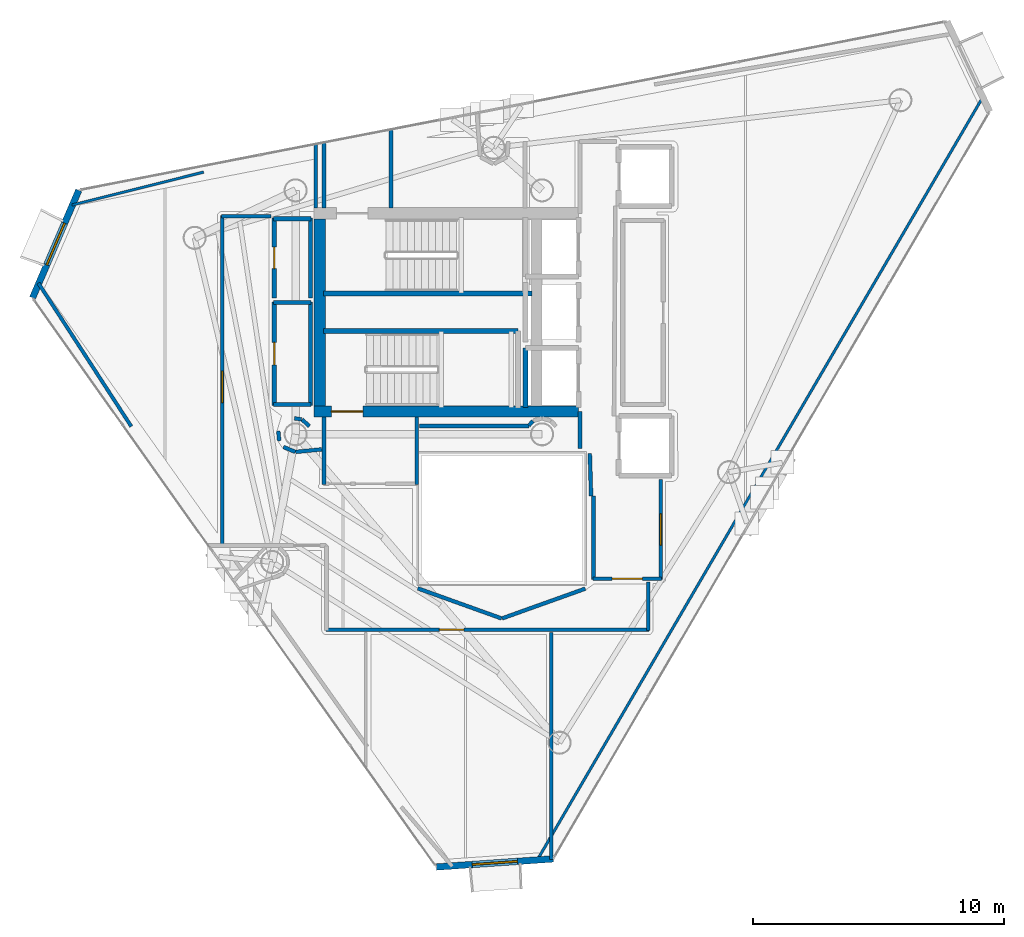
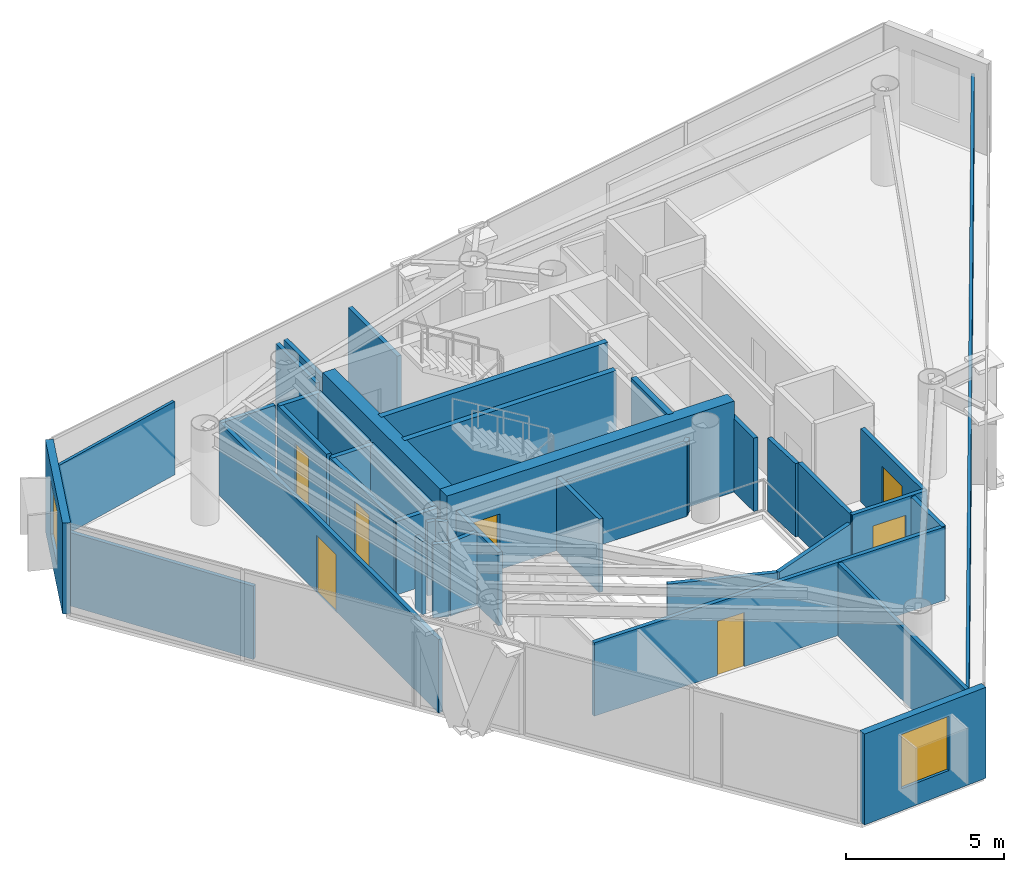
# One storey, part 18 of 22: 41 walls, 7 doors, 2 windows, 9 openings.
"""IFC4 building model written with IfcOpenShell, lengths in metres."""

import ifcopenshell
import ifcopenshell.guid

model = None  # the IFC model being written
_history = None  # IfcOwnerHistory: only IFC2X3 demands one
_inside = {}  # id of a spatial element -> (the spatial element, [elements in it])
_under = {}  # id of a project, library or spatial element -> (it, [spatial elements below it])
_declared = {}  # id of a project -> (the project, [libraries it declares])
_typed = {}  # id of a type object -> (the type object, [elements of that type])
_made_of = {}  # id of a material, layer set ... -> (it, [elements and type objects made of it])


def new_model(schema):
    """Start an empty IFC model of exactly this schema.

    Asked for "IFC4X3", IfcOpenShell would pick the latest addendum, in which some entities
    have other attributes; the version numbers below select the first issue.
    IFC2X3 requires an IfcOwnerHistory on every rooted entity: one is made here for all.
    """
    global model, _history
    if schema == "IFC4X3":
        model = ifcopenshell.file(schema_version=(4, 3, 0, 0))
    else:
        model = ifcopenshell.file(schema=schema)
    _inside.clear()
    _under.clear()
    _declared.clear()
    _typed.clear()
    _made_of.clear()
    _history = None
    if model.schema == "IFC2X3":
        org = make("IfcOrganization", Name="unknown")
        user = make(
            "IfcPersonAndOrganization",
            ThePerson=make("IfcPerson", FamilyName="unknown"),
            TheOrganization=org,
        )
        app = make(
            "IfcApplication",
            ApplicationDeveloper=org,
            Version="unknown",
            ApplicationFullName="unknown",
            ApplicationIdentifier="unknown",
        )
        _history = make(
            "IfcOwnerHistory",
            OwningUser=user,
            OwningApplication=app,
            ChangeAction="ADDED",
            CreationDate=0,
        )
    return model


def make(cls, **values):
    """One entity of the class cls with the attributes given. An attribute that is None is left unset."""
    return model.create_entity(
        cls, **{name: value for name, value in values.items() if value is not None}
    )


def rooted(cls, **values):
    """An entity with a GlobalId (a new one), such as an element, a storey or a relation."""
    return make(cls, GlobalId=ifcopenshell.guid.new(), OwnerHistory=_history, **values)


def si_unit(unit_type, name, prefix=None):
    """IfcSIUnit, for example si_unit("LENGTHUNIT", "METRE", prefix="MILLI")."""
    return make("IfcSIUnit", UnitType=unit_type, Prefix=prefix, Name=name)


def assignment(units):
    """IfcUnitAssignment: the units of a project."""
    return None if units is None else make("IfcUnitAssignment", Units=units)


def point(xyz):
    """IfcCartesianPoint."""
    return None if xyz is None else make("IfcCartesianPoint", Coordinates=xyz)


def direction(xyz):
    """IfcDirection."""
    return None if xyz is None else make("IfcDirection", DirectionRatios=xyz)


def frame(location, z_axis=None, x_axis=None):
    """IfcAxis2Placement3D, a coordinate frame: its origin and axes. An axis left out is left unset."""
    return make(
        "IfcAxis2Placement3D",
        Location=point(location),
        Axis=direction(z_axis),
        RefDirection=direction(x_axis),
    )


def frame_2d(location, x_axis=None):
    """IfcAxis2Placement2D, a coordinate frame in the plane: its origin and x axis."""
    return make(
        "IfcAxis2Placement2D", Location=point(location), RefDirection=direction(x_axis)
    )


def origin():
    """The frame at (0, 0, 0) with its axes left unset."""
    return frame((0.0, 0.0, 0.0))


def place(relative_to, where):
    """IfcLocalPlacement: puts the frame where relative to a parent placement (None: the world)."""
    return make(
        "IfcLocalPlacement", PlacementRelTo=relative_to, RelativePlacement=where
    )


def context(
    kind, dimensions, precision=None, world=None, true_north=None, identifier=None
):
    """IfcGeometricRepresentationContext, for example the 3D "Model" context."""
    return make(
        "IfcGeometricRepresentationContext",
        ContextIdentifier=identifier,
        ContextType=kind,
        CoordinateSpaceDimension=dimensions,
        Precision=precision,
        WorldCoordinateSystem=world,
        TrueNorth=true_north,
    )


def subcontext(parent, identifier, kind, view, scale=None):
    """IfcGeometricRepresentationSubContext, for example "Body" below "Model"."""
    return make(
        "IfcGeometricRepresentationSubContext",
        ContextIdentifier=identifier,
        ContextType=kind,
        ParentContext=parent,
        TargetScale=scale,
        TargetView=view,
    )


def project(units=None, contexts=None):
    """IfcProject with its units and contexts."""
    return rooted(
        "IfcProject",
        Name="project",
        RepresentationContexts=contexts,
        UnitsInContext=assignment(units),
    )


def spatial(cls, under=None, at=None, **own):
    """A site, building, storey or space (cls), placed at a placement, below another one or the project."""
    s = rooted(cls, ObjectPlacement=at, **own)
    if under is not None:
        _under.setdefault(under.id(), (under, []))[1].append(s)
    return s


def profile(cls, at=None, kind="AREA", **sizes):
    """A parametric profile (cls). Its sizes go by their IFC names, for example OverallWidth=200.0."""
    return make(cls, ProfileType=kind, Position=at, **sizes)


def rectangle(**sizes):
    """IfcRectangleProfileDef."""
    return profile("IfcRectangleProfileDef", **sizes)


def extrude(swept, where, along, depth):
    """IfcExtrudedAreaSolid: the profile swept, set in the frame where, extruded along a direction by depth."""
    return make(
        "IfcExtrudedAreaSolid",
        SweptArea=swept,
        Position=where,
        ExtrudedDirection=direction(along),
        Depth=depth,
    )


def shape(context_of_items, identifier, shape_type, items):
    """IfcShapeRepresentation: the items that make up one representation, for example the "Body"."""
    return make(
        "IfcShapeRepresentation",
        ContextOfItems=context_of_items,
        RepresentationIdentifier=identifier,
        RepresentationType=shape_type,
        Items=items,
    )


def material(Name=None, Category=None):
    """IfcMaterial."""
    return make("IfcMaterial", Name=Name, Category=Category)


def layer(
    of_material, thickness, ventilated=None, Name=None, Category=None, Priority=None
):
    """IfcMaterialLayer: one layer of a wall or slab, of a material (None: an air gap)."""
    return make(
        "IfcMaterialLayer",
        Material=of_material,
        LayerThickness=thickness,
        IsVentilated=ventilated,
        Name=Name,
        Category=Category,
        Priority=Priority,
    )


def layer_set(layers, Name=None):
    """IfcMaterialLayerSet."""
    return make("IfcMaterialLayerSet", MaterialLayers=layers, LayerSetName=Name)


def made_of(thing, what):
    """Note that an element or type object is made of a material, layer set ...; save() writes the relation."""
    if what is not None:
        _made_of.setdefault(what.id(), (what, []))[1].append(thing)
    return thing


def type_object(cls, material=None, **own):
    """A type object (cls), such as IfcWallType, which elements share."""
    return made_of(rooted(cls, **own), material)


def element(
    cls,
    number,
    at=None,
    inside=None,
    cuts=None,
    type_object=None,
    material=None,
    context=None,
    identifier="Body",
    shape_type=None,
    held_by="IfcProductDefinitionShape",
    body=None,
    shapes=None,
    **own,
):
    """One element of the class cls, such as IfcWall. Its Tag is "e" and its number.

    at: its placement. inside: the storey or other place that contains it. cuts: it is an
    opening in that element (IfcRelVoidsElement). A single representation is given by context,
    identifier, shape_type and body (its items); several are given by shapes. held_by: the class
    of the entity that holds the representations. save() writes the other relations.
    """
    e = rooted(cls, Tag="e%d" % number, ObjectPlacement=at, **own)
    if body is not None:
        shapes = [shape(context, identifier, shape_type, body)]
    if shapes is not None:
        e.Representation = make(held_by, Representations=shapes)
    if inside is not None:
        _inside.setdefault(inside.id(), (inside, []))[1].append(e)
    if cuts is not None:
        rooted(
            "IfcRelVoidsElement", RelatingBuildingElement=cuts, RelatedOpeningElement=e
        )
    if type_object is not None:
        _typed.setdefault(type_object.id(), (type_object, []))[1].append(e)
    return made_of(e, material)


def fill(opening, filler):
    """IfcRelFillsElement: the door or window that sits in an opening."""
    return rooted(
        "IfcRelFillsElement",
        RelatingOpeningElement=opening,
        RelatedBuildingElement=filler,
    )


def aggregate(whole, parts):
    """IfcRelAggregates: a whole, such as a stair, and the parts it consists of."""
    return rooted("IfcRelAggregates", RelatingObject=whole, RelatedObjects=parts)


def save(model, path):
    """Write the relations noted so far, then the file.

    IfcRelAggregates (storeys below a building ...), IfcRelContainedInSpatialStructure (elements
    in a storey), IfcRelDefinesByType, IfcRelAssociatesMaterial and IfcRelDeclares: one each for
    every whole, place, type object, material and project.
    """
    for whole, parts in _under.values():
        aggregate(whole, parts)
    for where, things in _inside.values():
        rooted(
            "IfcRelContainedInSpatialStructure",
            RelatedElements=things,
            RelatingStructure=where,
        )
    for kind, things in _typed.values():
        rooted("IfcRelDefinesByType", RelatedObjects=things, RelatingType=kind)
    for what, things in _made_of.values():
        rooted("IfcRelAssociatesMaterial", RelatedObjects=things, RelatingMaterial=what)
    for by, libraries in _declared.values():
        rooted("IfcRelDeclares", RelatingContext=by, RelatedDefinitions=libraries)
    model.write(path)


model = new_model("IFC4")

# Units and contexts
model_context = context("Model", 3, precision=1e-05, world=origin(), true_north=direction((0.0, 1.0)))
body_context = subcontext(model_context, "Body", "Model", "MODEL_VIEW")
ifc_project = project(units=[si_unit("LENGTHUNIT", "METRE"), si_unit("AREAUNIT", "SQUARE_METRE"), si_unit("VOLUMEUNIT", "CUBIC_METRE"), si_unit("PLANEANGLEUNIT", "RADIAN"), si_unit("MASSUNIT", "GRAM", prefix="KILO")], contexts=[model_context])

# Site, building, storey
site_placement = place(None, origin())
site = spatial("IfcSite", under=ifc_project, at=site_placement, CompositionType="ELEMENT")
building_placement = place(site_placement, origin())
building = spatial("IfcBuilding", under=site, at=building_placement, Name="Qianvela Tower", CompositionType="ELEMENT")
storey_placement = place(building_placement, frame((0.0, 0.0, 299.10009765625)))
storey = spatial("IfcBuildingStorey", under=building, at=storey_placement, Name="L77", CompositionType="ELEMENT", Elevation=299.10009765625)

# Wall, opening, window
ifc_material_1 = material(Name="Terracotta Cladding on Concrete C40", Category="masonry")
ifc_layer_1 = layer(ifc_material_1, 0.260009765625)
ifc_layer_set_1 = layer_set([ifc_layer_1], Name="Terracotta Cladding on Concrete C40")
wall_type_1 = type_object("IfcWallType", Name="TERRACOTTA-WALL-260", PredefinedType="SOLIDWALL", material=ifc_layer_set_1)
wall_1_placement = place(storey_placement, frame((19.97900390625, 33.55419921875, 0.0), z_axis=(0.0, 0.0, 1.0), x_axis=(-0.394793036807, -0.918770079013, 0.0)))
wall_1 = element("IfcWall", 1, at=wall_1_placement, inside=storey, type_object=wall_type_1, Name="L77 Terracotta Chamfer Facet Wall 3", PredefinedType="SOLIDWALL", context=body_context, shape_type="SweptSolid", body=[
    extrude(rectangle(XDim=4.65283203125, YDim=0.260009765625, at=frame_2d((2.326416015625, 0.0))), origin(), (0.0, 0.0, 1.0), 3.52001953125),
])
opening_1_placement = place(wall_1_placement, frame((1.42626953125, 0.0, 0.85009765625)))
opening_1 = element("IfcOpeningElement", 2, at=opening_1_placement, cuts=wall_1, Name="Opening W-01", PredefinedType="OPENING", context=body_context, shape_type="SweptSolid", body=[
    extrude(rectangle(XDim=1.800048828125, YDim=2.10009765625, at=frame_2d((0.89990234375, 1.050048828125))), frame((0.0, 0.139892578125, 0.0), z_axis=(0.0, -1.0, 0.0), x_axis=(1.0, 0.0, 0.0)), (0.0, 0.0, 1.0), 0.280029296875),
])
ifc_material_2 = material(Name="Thermally Broken Aluminium and Low-E Glass", Category="aluminium")
window_type = type_object("IfcWindowType", Name="WIN-TC-1800x2100", PartitioningType="DOUBLE_PANEL_VERTICAL", PredefinedType="WINDOW", material=ifc_material_2)
window_1_placement = place(opening_1_placement, origin())
window_1 = element("IfcWindow", 3, at=window_1_placement, inside=storey, type_object=window_type, Name="L77 Chamfer Facet Window 3.1", OverallHeight=2.10009765625, OverallWidth=1.800048828125, PartitioningType="SINGLE_PANEL", PredefinedType="WINDOW", context=body_context, shape_type="SweptSolid", body=[
    extrude(rectangle(XDim=1.800048828125, YDim=2.10009765625, at=frame_2d((0.89990234375, 1.050048828125))), frame((0.0, 0.030029296875, 0.0), z_axis=(0.0, -1.0, 0.0), x_axis=(1.0, 0.0, 0.0)), (0.0, 0.0, 1.0), 0.06005859375),
])
fill(opening_1, window_1)

wall_2_placement = place(storey_placement, frame((34.203857421875, 6.64501953125, 0.0), z_axis=(0.0, 0.0, 1.0), x_axis=(0.997598176449, 0.069266718895, 0.0)))
wall_2 = element("IfcWall", 4, at=wall_2_placement, inside=storey, type_object=wall_type_1, Name="L77 Terracotta Chamfer Facet Wall 5", PredefinedType="SOLIDWALL", context=body_context, shape_type="SweptSolid", body=[
    extrude(rectangle(XDim=4.652587890625, YDim=0.260009765625, at=frame_2d((2.326171875, 0.0))), origin(), (0.0, 0.0, 1.0), 3.52001953125),
])
opening_2_placement = place(wall_2_placement, frame((1.42626953125, 0.0, 0.85009765625)))
opening_2 = element("IfcOpeningElement", 5, at=opening_2_placement, cuts=wall_2, Name="Opening W-01", PredefinedType="OPENING", context=body_context, shape_type="SweptSolid", body=[
    extrude(rectangle(XDim=1.800048828125, YDim=2.10009765625, at=frame_2d((0.89990234375, 1.050048828125))), frame((0.0, 0.139892578125, 0.0), z_axis=(0.0, -1.0, 0.0), x_axis=(1.0, 0.0, 0.0)), (0.0, 0.0, 1.0), 0.280029296875),
])
window_2_placement = place(opening_2_placement, origin())
window_2 = element("IfcWindow", 6, at=window_2_placement, inside=storey, type_object=window_type, Name="L77 Chamfer Facet Window 5.1", OverallHeight=2.10009765625, OverallWidth=1.800048828125, PartitioningType="SINGLE_PANEL", PredefinedType="WINDOW", context=body_context, shape_type="SweptSolid", body=[
    extrude(rectangle(XDim=1.800048828125, YDim=2.10009765625, at=frame_2d((0.89990234375, 1.050048828125))), frame((0.0, 0.030029296875, 0.0), z_axis=(0.0, -1.0, 0.0), x_axis=(1.0, 0.0, 0.0)), (0.0, 0.0, 1.0), 0.06005859375),
])
fill(opening_2, window_2)

# Wall, opening, door
ifc_material_3 = material(Name="Concrete C50", Category="concrete")
ifc_layer_2 = layer(ifc_material_3, 0.449951171875)
ifc_layer_set_2 = layer_set([ifc_layer_2], Name="Concrete C50")
wall_type_2 = type_object("IfcWallType", Name="WT-CORE-450", PredefinedType="SHEAR", material=ifc_layer_set_2)
wall_3_placement = place(storey_placement, frame((29.330078125, 24.7548828125, 0.0), z_axis=(0.0, 0.0, 1.0), x_axis=(1.0, 0.0, 0.0)))
wall_3 = element("IfcWall", 7, at=wall_3_placement, inside=storey, type_object=wall_type_2, Name="L77 South Core Shear Wall", PredefinedType="SHEAR", context=body_context, shape_type="SweptSolid", body=[
    extrude(rectangle(XDim=10.52001953125, YDim=0.449951171875, at=frame_2d((5.260009765625, 0.0))), origin(), (0.0, 0.0, 1.0), 3.52001953125),
])
opening_3_placement = place(wall_3_placement, frame((0.695068359375, 0.0, 0.0)))
opening_3 = element("IfcOpeningElement", 8, at=opening_3_placement, cuts=wall_3, Name="Opening D-ST1", PredefinedType="OPENING", context=body_context, shape_type="SweptSolid", body=[
    extrude(rectangle(XDim=1.25, YDim=2.14990234375, at=frame_2d((0.625, 1.074951171875))), frame((0.0, 0.23486328125, 0.0), z_axis=(0.0, -1.0, 0.0), x_axis=(1.0, 0.0, 0.0)), (0.0, 0.0, 1.0), 0.469970703125),
])
ifc_material_4 = material(Name="Galvanised Fire Steel Q355B", Category="steel")
door_type_1 = type_object("IfcDoorType", Name="DT-STAIR-FD90", OperationType="NOTDEFINED", PredefinedType="DOOR", material=ifc_material_4)
door_1_placement = place(opening_3_placement, origin())
door_1 = element("IfcDoor", 9, at=door_1_placement, inside=storey, type_object=door_type_1, Name="L77 Stair ST-2 Exit Door", OperationType="SINGLE_SWING_LEFT", OverallHeight=2.14990234375, OverallWidth=1.25, PredefinedType="DOOR", context=body_context, shape_type="SweptSolid", body=[
    extrude(rectangle(XDim=1.25, YDim=2.14990234375, at=frame_2d((0.625, 1.074951171875))), frame((0.0, 0.02490234375, 0.0), z_axis=(0.0, -1.0, 0.0), x_axis=(1.0, 0.0, 0.0)), (0.0, 0.0, 1.0), 0.050048828125),
])
fill(opening_3, door_1)

# Walls
wall_4_placement = place(storey_placement, frame((29.554931640625, 24.97998046875, 0.0), z_axis=(0.0, 0.0, 1.0), x_axis=(0.0, 1.0, 0.0)))
element("IfcWall", 10, at=wall_4_placement, inside=storey, type_object=wall_type_2, Name="L77 West Core Shear Wall", PredefinedType="SHEAR", context=body_context, shape_type="SweptSolid", body=[
    extrude(rectangle(XDim=7.43994140625, YDim=0.449951171875, at=frame_2d((3.719970703125, 0.0))), origin(), (0.0, 0.0, 1.0), 3.52001953125),
])
ifc_material_5 = material(Name="Fire-Rated Acoustic Gypsum Board")
ifc_layer_3 = layer(ifc_material_5, 0.14990234375)
ifc_layer_set_3 = layer_set([ifc_layer_3], Name="Fire-Rated Acoustic Gypsum Board")
wall_type_3 = type_object("IfcWallType", Name="WT-CORR-150", PredefinedType="PARTITIONING", material=ifc_layer_set_3)
wall_5_placement = place(storey_placement, frame((29.73095703125, 32.85791015625, 0.0), z_axis=(0.0, 0.0, 1.0), x_axis=(0.0, 1.0, 0.0)))
element("IfcWall", 11, at=wall_5_placement, inside=storey, type_object=wall_type_3, Name="L77 Partition 1", PredefinedType="PARTITIONING", context=body_context, shape_type="SweptSolid", body=[
    extrude(rectangle(XDim=2.613037109375, YDim=0.14990234375, at=frame_2d((1.306640625, 0.0))), origin(), (0.0, 0.0, 1.0), 2.83984375),
])
wall_6_placement = place(storey_placement, frame((32.388916015625, 35.98779296875, 0.0), z_axis=(0.0, 0.0, 1.0), x_axis=(0.0, -1.0, 0.0)))
element("IfcWall", 12, at=wall_6_placement, inside=storey, type_object=wall_type_3, Name="L77 Partition 4", PredefinedType="PARTITIONING", context=body_context, shape_type="SweptSolid", body=[
    extrude(rectangle(XDim=3.1298828125, YDim=0.14990234375, at=frame_2d((1.56494140625, 0.0))), origin(), (0.0, 0.0, 1.0), 2.83984375),
])
for number, where, z_axis, x_axis, name in (
    (13, (29.73095703125, 21.85009765625, 0.0), (0.0, 0.0, 1.0), (0.0, 1.0, 0.0), "L77 Partition 7"),
    (14, (33.4189453125, 24.5419921875, 0.0), (0.0, 0.0, 1.0), (0.0, -1.0, 0.0), "L77 Partition 9"),
):
    element("IfcWall", number, at=place(storey_placement, frame(where, z_axis=z_axis, x_axis=x_axis)), inside=storey, type_object=wall_type_3, Name=name, PredefinedType="PARTITIONING", context=body_context, shape_type="SweptSolid", body=[
        extrude(rectangle(XDim=2.69189453125, YDim=0.14990234375, at=frame_2d((1.345947265625, 0.0))), origin(), (0.0, 0.0, 1.0), 2.83984375),
    ])
wall_7_placement = place(storey_placement, frame((40.35107421875, 21.40087890625, 0.0), z_axis=(0.0, 0.0, 1.0), x_axis=(-0.031058045979, 0.999517582527, 0.0)))
element("IfcWall", 15, at=wall_7_placement, inside=storey, type_object=wall_type_3, Name="L77 Partition 10", PredefinedType="PARTITIONING", context=body_context, shape_type="SweptSolid", body=[
    extrude(rectangle(XDim=1.68212890625, YDim=0.14990234375, at=frame_2d((0.841064453125, 0.0))), origin(), (0.0, 0.0, 1.0), 2.83984375),
])
wall_8_placement = place(storey_placement, frame((39.910888671875, 23.280029296875, 0.0), z_axis=(0.0, 0.0, 1.0), x_axis=(0.0, 1.0, 0.0)))
element("IfcWall", 16, at=wall_8_placement, inside=storey, type_object=wall_type_3, Name="L77 Partition 11", PredefinedType="PARTITIONING", context=body_context, shape_type="SweptSolid", body=[
    extrude(rectangle(XDim=1.47998046875, YDim=0.14990234375, at=frame_2d((0.739990234375, 0.0))), origin(), (0.0, 0.0, 1.0), 2.83984375),
])

# Wall, opening, door
wall_9_placement = place(storey_placement, frame((43.118896484375, 22.050048828125, 0.0), z_axis=(0.0, 0.0, 1.0), x_axis=(0.0, -1.0, 0.0)))
wall_9 = element("IfcWall", 17, at=wall_9_placement, inside=storey, type_object=wall_type_3, Name="L77 Partition 17", PredefinedType="PARTITIONING", context=body_context, shape_type="SweptSolid", body=[
    extrude(rectangle(XDim=3.969970703125, YDim=0.14990234375, at=frame_2d((1.98486328125, 0.0))), origin(), (0.0, 0.0, 1.0), 2.83984375),
])
opening_4_placement = place(wall_9_placement, frame((1.360107421875, 0.0, 0.0)))
opening_4 = element("IfcOpeningElement", 18, at=opening_4_placement, cuts=wall_9, Name="Opening D-LG1", PredefinedType="OPENING", context=body_context, shape_type="SweptSolid", body=[
    extrude(rectangle(XDim=1.25, YDim=2.199951171875, at=frame_2d((0.625, 1.10009765625))), frame((0.0, 0.0849609375, 0.0), z_axis=(0.0, -1.0, 0.0), x_axis=(1.0, 0.0, 0.0)), (0.0, 0.0, 1.0), 0.169921875),
])
ifc_material_6 = material(Name="Anodised Aluminium Acoustic Glass Door", Category="aluminium")
door_type_2 = type_object("IfcDoorType", Name="DT-LOUNGE-1250", OperationType="NOTDEFINED", PredefinedType="DOOR", material=ifc_material_6)
door_2_placement = place(opening_4_placement, origin())
door_2 = element("IfcDoor", 19, at=door_2_placement, inside=storey, type_object=door_type_2, Name="L77 Door Project Huddle Conference L77-02 to L77 Lift Lobby", OperationType="SINGLE_SWING_RIGHT", OverallHeight=2.199951171875, OverallWidth=1.25, PredefinedType="DOOR", context=body_context, shape_type="SweptSolid", body=[
    extrude(rectangle(XDim=1.25, YDim=2.199951171875, at=frame_2d((0.625, 1.10009765625))), frame((0.0, 0.02490234375, 0.0), z_axis=(0.0, -1.0, 0.0), x_axis=(1.0, 0.0, 0.0)), (0.0, 0.0, 1.0), 0.050048828125),
])
fill(opening_4, door_2)

wall_10_placement = place(storey_placement, frame((43.14990234375, 18.111083984375, 0.0), z_axis=(0.0, 0.0, 1.0), x_axis=(-1.0, 0.0, 0.0)))
wall_10 = element("IfcWall", 20, at=wall_10_placement, inside=storey, type_object=wall_type_3, Name="L77 Partition 18", PredefinedType="PARTITIONING", context=body_context, shape_type="SweptSolid", body=[
    extrude(rectangle(XDim=2.72998046875, YDim=0.14990234375, at=frame_2d((1.364990234375, 0.0))), origin(), (0.0, 0.0, 1.0), 2.83984375),
])
opening_5_placement = place(wall_10_placement, frame((0.764892578125, 0.0, 0.0)))
opening_5 = element("IfcOpeningElement", 21, at=opening_5_placement, cuts=wall_10, Name="Opening D-LB1", PredefinedType="OPENING", context=body_context, shape_type="SweptSolid", body=[
    extrude(rectangle(XDim=1.199951171875, YDim=2.14990234375, at=frame_2d((0.60009765625, 1.074951171875))), frame((0.0, 0.0849609375, 0.0), z_axis=(0.0, -1.0, 0.0), x_axis=(1.0, 0.0, 0.0)), (0.0, 0.0, 1.0), 0.169921875),
])
ifc_material_7 = material(Name="Glazed Fire-Rated Steel Frame", Category="steel")
door_type_3 = type_object("IfcDoorType", Name="DT-LOBBY-FD90", OperationType="NOTDEFINED", PredefinedType="DOOR", material=ifc_material_7)
door_3_placement = place(opening_5_placement, origin())
door_3 = element("IfcDoor", 22, at=door_3_placement, inside=storey, type_object=door_type_3, Name="L77 Door L77 Lift Lobby to L77 Floor Corridor", OperationType="SINGLE_SWING_RIGHT", OverallHeight=2.14990234375, OverallWidth=1.199951171875, PredefinedType="DOOR", context=body_context, shape_type="SweptSolid", body=[
    extrude(rectangle(XDim=1.199951171875, YDim=2.14990234375, at=frame_2d((0.60009765625, 1.074951171875))), frame((0.0, 0.02490234375, 0.0), z_axis=(0.0, -1.0, 0.0), x_axis=(1.0, 0.0, 0.0)), (0.0, 0.0, 1.0), 0.050048828125),
])
fill(opening_5, door_3)

# Walls
wall_11_placement = place(storey_placement, frame((40.450927734375, 18.080078125, 0.0), z_axis=(0.0, 0.0, 1.0), x_axis=(0.0, 1.0, 0.0)))
element("IfcWall", 23, at=wall_11_placement, inside=storey, type_object=wall_type_3, Name="L77 Partition 19 seg 1", PredefinedType="PARTITIONING", context=body_context, shape_type="SweptSolid", body=[
    extrude(rectangle(XDim=3.31982421875, YDim=0.14990234375, at=frame_2d((1.659912109375, 0.0))), origin(), (0.0, 0.0, 1.0), 2.83984375),
])
wall_12_placement = place(storey_placement, frame((38.0380859375, 24.378173828125, 0.0), z_axis=(0.0, 0.0, 1.0), x_axis=(-0.673658387955, -0.739042878551, 0.0)))
element("IfcWall", 24, at=wall_12_placement, inside=storey, type_object=wall_type_3, Name="L77 Partition 37", PredefinedType="PARTITIONING", context=body_context, shape_type="SweptSolid", body=[
    extrude(rectangle(XDim=0.246337890625, YDim=0.14990234375, at=frame_2d((0.123046875, 0.0))), origin(), (0.0, 0.0, 1.0), 2.83984375),
])
wall_13_placement = place(storey_placement, frame((37.8720703125, 24.180908203125, 0.0), z_axis=(0.0, 0.0, 1.0), x_axis=(-1.0, 0.0, 0.0)))
element("IfcWall", 25, at=wall_13_placement, inside=storey, type_object=wall_type_3, Name="L77 Partition 38", PredefinedType="PARTITIONING", context=body_context, shape_type="SweptSolid", body=[
    extrude(rectangle(XDim=4.342041015625, YDim=0.14990234375, at=frame_2d((2.1708984375, 0.0))), origin(), (0.0, 0.0, 1.0), 2.83984375),
])
wall_14_placement = place(storey_placement, frame((29.148681640625, 24.173095703125, 0.0), z_axis=(0.0, 0.0, 1.0), x_axis=(-0.745225165416, 0.666812906917, 0.0)))
element("IfcWall", 26, at=wall_14_placement, inside=storey, type_object=wall_type_3, Name="L77 Partition 48", PredefinedType="PARTITIONING", context=body_context, shape_type="SweptSolid", body=[
    extrude(rectangle(XDim=0.3955078125, YDim=0.14990234375, at=frame_2d((0.19775390625, 0.0))), origin(), (0.0, 0.0, 1.0), 2.83984375),
])
wall_15_placement = place(storey_placement, frame((28.837890625, 24.444091796875, 0.0), z_axis=(0.0, 0.0, 1.0), x_axis=(-0.989449148305, 0.144880581578, 0.0)))
element("IfcWall", 27, at=wall_15_placement, inside=storey, type_object=wall_type_3, Name="L77 Partition 49", PredefinedType="PARTITIONING", context=body_context, shape_type="SweptSolid", body=[
    extrude(rectangle(XDim=0.286376953125, YDim=0.14990234375, at=frame_2d((0.14306640625, 0.0))), origin(), (0.0, 0.0, 1.0), 2.83984375),
])
wall_16_placement = place(storey_placement, frame((25.64990234375, 32.51904296875, 0.0), z_axis=(0.0, 0.0, 1.0), x_axis=(1.0, 0.0, 0.0)))
element("IfcWall", 28, at=wall_16_placement, inside=storey, type_object=wall_type_3, Name="L77 Partition 59", PredefinedType="PARTITIONING", context=body_context, shape_type="SweptSolid", body=[
    extrude(rectangle(XDim=1.97021484375, YDim=0.14990234375, at=frame_2d((0.985107421875, 0.0))), origin(), (0.0, 0.0, 1.0), 2.83984375),
])
wall_17_placement = place(storey_placement, frame((27.912109375, 23.977783203125, 0.0), z_axis=(0.0, 0.0, 1.0), x_axis=(0.097888269922, -0.995197410875, 0.0)))
element("IfcWall", 29, at=wall_17_placement, inside=storey, type_object=wall_type_3, Name="L77 Partition 61", PredefinedType="PARTITIONING", context=body_context, shape_type="SweptSolid", body=[
    extrude(rectangle(XDim=0.38916015625, YDim=0.14990234375, at=frame_2d((0.194580078125, 0.0))), origin(), (0.0, 0.0, 1.0), 2.83984375),
])
wall_18_placement = place(storey_placement, frame((28.114501953125, 23.34765625, 0.0), z_axis=(0.0, 0.0, 1.0), x_axis=(0.923807847969, -0.382856448334, 0.0)))
element("IfcWall", 30, at=wall_18_placement, inside=storey, type_object=wall_type_3, Name="L77 Partition 62", PredefinedType="PARTITIONING", context=body_context, shape_type="SweptSolid", body=[
    extrude(rectangle(XDim=0.5126953125, YDim=0.14990234375, at=frame_2d((0.25634765625, 0.0))), origin(), (0.0, 0.0, 1.0), 2.83984375),
])
wall_19_placement = place(storey_placement, frame((28.60302734375, 23.149169921875, 0.0), z_axis=(0.0, 0.0, 1.0), x_axis=(0.995179827095, 0.098066873836, 0.0)))
element("IfcWall", 31, at=wall_19_placement, inside=storey, type_object=wall_type_3, Name="L77 Partition 63", PredefinedType="PARTITIONING", context=body_context, shape_type="SweptSolid", body=[
    extrude(rectangle(XDim=1.043212890625, YDim=0.14990234375, at=frame_2d((0.521484375, 0.0))), origin(), (0.0, 0.0, 1.0), 2.83984375),
])
wall_20_placement = place(storey_placement, frame((33.45751953125, 17.723876953125, 0.0), z_axis=(0.0, 0.0, 1.0), x_axis=(0.94128854789, -0.337603124408, 0.0)))
element("IfcWall", 32, at=wall_20_placement, inside=storey, type_object=wall_type_3, Name="L77 Partition 66", PredefinedType="PARTITIONING", context=body_context, shape_type="SweptSolid", body=[
    extrude(rectangle(XDim=3.539794921875, YDim=0.14990234375, at=frame_2d((1.77001953125, 0.0))), origin(), (0.0, 0.0, 1.0), 2.83984375),
])
wall_21_placement = place(storey_placement, frame((36.810302734375, 16.52880859375, 0.0), z_axis=(0.0, 0.0, 1.0), x_axis=(0.941548344365, 0.33687789364, 0.0)))
element("IfcWall", 33, at=wall_21_placement, inside=storey, type_object=wall_type_3, Name="L77 Partition 67", PredefinedType="PARTITIONING", context=body_context, shape_type="SweptSolid", body=[
    extrude(rectangle(XDim=3.5126953125, YDim=0.14990234375, at=frame_2d((1.75634765625, 0.0))), origin(), (0.0, 0.0, 1.0), 2.83984375),
])
wall_22_placement = place(storey_placement, frame((42.618896484375, 17.97998046875, 0.0), z_axis=(0.0, 0.0, 1.0), x_axis=(0.0, -1.0, 0.0)))
element("IfcWall", 34, at=wall_22_placement, inside=storey, type_object=wall_type_3, Name="L77 Partition 69", PredefinedType="PARTITIONING", context=body_context, shape_type="SweptSolid", body=[
    extrude(rectangle(XDim=1.929931640625, YDim=0.14990234375, at=frame_2d((0.96484375, 0.0))), origin(), (0.0, 0.0, 1.0), 2.83984375),
])

# Wall, opening, door
wall_23_placement = place(storey_placement, frame((42.64990234375, 16.0810546875, 0.0), z_axis=(0.0, 0.0, 1.0), x_axis=(-1.0, 0.0, 0.0)))
wall_23 = element("IfcWall", 35, at=wall_23_placement, inside=storey, type_object=wall_type_3, Name="L77 Partition 70", PredefinedType="PARTITIONING", context=body_context, shape_type="SweptSolid", body=[
    extrude(rectangle(XDim=12.849853515625, YDim=0.14990234375, at=frame_2d((6.4248046875, 0.0))), origin(), (0.0, 0.0, 1.0), 2.83984375),
])
opening_6_placement = place(wall_23_placement, frame((7.35693359375, 0.0, 0.0)))
opening_6 = element("IfcOpeningElement", 36, at=opening_6_placement, cuts=wall_23, Name="Opening D-RM1", PredefinedType="OPENING", context=body_context, shape_type="SweptSolid", body=[
    extrude(rectangle(XDim=0.97998046875, YDim=2.10009765625, at=frame_2d((0.489990234375, 1.050048828125))), frame((0.0, 0.0849609375, 0.0), z_axis=(0.0, -1.0, 0.0), x_axis=(1.0, 0.0, 0.0)), (0.0, 0.0, 1.0), 0.169921875),
])
ifc_material_8 = material(Name="Solid Core Acoustic Timber Fire Door", Category="wood")
door_type_4 = type_object("IfcDoorType", Name="DT-ROOM-FD60", OperationType="NOTDEFINED", PredefinedType="DOOR", material=ifc_material_8)
door_4_placement = place(opening_6_placement, origin())
door_4 = element("IfcDoor", 37, at=door_4_placement, inside=storey, type_object=door_type_4, Name="L77 Door Campus Wellness Pharmacy L77-04 to L77 Floor Corridor", OperationType="SINGLE_SWING_RIGHT", OverallHeight=2.10009765625, OverallWidth=0.97998046875, PredefinedType="DOOR", context=body_context, shape_type="SweptSolid", body=[
    extrude(rectangle(XDim=0.97998046875, YDim=2.10009765625, at=frame_2d((0.489990234375, 1.050048828125))), frame((0.0, 0.02490234375, 0.0), z_axis=(0.0, -1.0, 0.0), x_axis=(1.0, 0.0, 0.0)), (0.0, 0.0, 1.0), 0.050048828125),
])
fill(opening_6, door_4)

wall_24_placement = place(storey_placement, frame((25.680908203125, 18.63525390625, 0.0), z_axis=(0.0, 0.0, 1.0), x_axis=(0.0, 1.0, 0.0)))
wall_24 = element("IfcWall", 38, at=wall_24_placement, inside=storey, type_object=wall_type_3, Name="L77 Partition 73", PredefinedType="PARTITIONING", context=body_context, shape_type="SweptSolid", body=[
    extrude(rectangle(XDim=13.914794921875, YDim=0.14990234375, at=frame_2d((6.95751953125, 0.0))), origin(), (0.0, 0.0, 1.0), 2.83984375),
])
opening_7_placement = place(wall_24_placement, frame((6.477783203125, 0.0, 0.0)))
opening_7 = element("IfcOpeningElement", 39, at=opening_7_placement, cuts=wall_24, Name="Opening D-LG1", PredefinedType="OPENING", context=body_context, shape_type="SweptSolid", body=[
    extrude(rectangle(XDim=1.25, YDim=2.199951171875, at=frame_2d((0.625, 1.10009765625))), frame((0.0, 0.0849609375, 0.0), z_axis=(0.0, -1.0, 0.0), x_axis=(1.0, 0.0, 0.0)), (0.0, 0.0, 1.0), 0.169921875),
])
door_5_placement = place(opening_7_placement, origin())
door_5 = element("IfcDoor", 40, at=door_5_placement, inside=storey, type_object=door_type_2, Name="L77 Door Debate Lecture Classroom L77-03 to L77 Floor Corridor", OperationType="SINGLE_SWING_LEFT", OverallHeight=2.199951171875, OverallWidth=1.25, PredefinedType="DOOR", context=body_context, shape_type="SweptSolid", body=[
    extrude(rectangle(XDim=1.25, YDim=2.199951171875, at=frame_2d((0.625, 1.10009765625))), frame((0.0, 0.02490234375, 0.0), z_axis=(0.0, -1.0, 0.0), x_axis=(1.0, 0.0, 0.0)), (0.0, 0.0, 1.0), 0.050048828125),
])
fill(opening_7, door_5)

# Walls
ifc_material_9 = material(Name="Lightweight Gypsum Room Partition")
ifc_layer_4 = layer(ifc_material_9, 0.10498046875)
ifc_layer_set_4 = layer_set([ifc_layer_4], Name="Lightweight Gypsum Room Partition")
wall_type_4 = type_object("IfcWallType", Name="WT-PART-105", PredefinedType="PARTITIONING", material=ifc_layer_set_4)
wall_25_placement = place(storey_placement, frame((55.9375, 37.275146484375, 0.0), z_axis=(0.0, 0.0, 1.0), x_axis=(-0.504337097155, -0.863506857201, 0.0)))
element("IfcWall", 41, at=wall_25_placement, inside=storey, type_object=wall_type_4, Name="L77 Partition 101", PredefinedType="PARTITIONING", context=body_context, shape_type="SweptSolid", body=[
    extrude(rectangle(XDim=35.16943359375, YDim=0.10498046875, at=frame_2d((17.584716796875, 0.0))), origin(), (0.0, 0.0, 1.0), 2.83984375),
])
wall_26_placement = place(storey_placement, frame((19.7080078125, 32.965576171875, 0.0), z_axis=(0.0, 0.0, 1.0), x_axis=(0.970113232827, 0.242652664306, 0.0)))
element("IfcWall", 42, at=wall_26_placement, inside=storey, type_object=wall_type_4, Name="L77 Partition 110 seg 1", PredefinedType="PARTITIONING", context=body_context, shape_type="SweptSolid", body=[
    extrude(rectangle(XDim=5.39892578125, YDim=0.10498046875, at=frame_2d((2.699462890625, 0.0))), origin(), (0.0, 0.0, 1.0), 2.83984375),
])

# Wall, opening, door
ifc_material_10 = material(Name="Sanitary Service Chase Partition")
ifc_layer_5 = layer(ifc_material_10, 0.1650390625)
ifc_layer_set_5 = layer_set([ifc_layer_5], Name="Sanitary Service Chase Partition")
wall_type_5 = type_object("IfcWallType", Name="WT-PLUMB-165", PredefinedType="PLUMBINGWALL", material=ifc_layer_set_5)
wall_27_placement = place(storey_placement, frame((27.7509765625, 25.0, 0.0), z_axis=(0.0, 0.0, 1.0), x_axis=(0.0, 1.0, 0.0)))
wall_27 = element("IfcWall", 43, at=wall_27_placement, inside=storey, type_object=wall_type_5, Name="L77 Partition 24", PredefinedType="PLUMBINGWALL", context=body_context, shape_type="SweptSolid", body=[
    extrude(rectangle(XDim=4.1201171875, YDim=0.1650390625, at=frame_2d((2.06005859375, 0.0))), origin(), (0.0, 0.0, 1.0), 2.83984375),
])
opening_8_placement = place(wall_27_placement, frame((1.610107421875, 0.0, 0.0)))
opening_8 = element("IfcOpeningElement", 44, at=opening_8_placement, cuts=wall_27, Name="Opening D-KT1", PredefinedType="OPENING", context=body_context, shape_type="SweptSolid", body=[
    extrude(rectangle(XDim=0.89990234375, YDim=2.10009765625, at=frame_2d((0.449951171875, 1.050048828125))), frame((0.0, 0.092529296875, 0.0), z_axis=(0.0, -1.0, 0.0), x_axis=(1.0, 0.0, 0.0)), (0.0, 0.0, 1.0), 0.18505859375),
])
ifc_material_11 = material(Name="Glazed Timber Kitchen Door", Category="wood")
door_type_5 = type_object("IfcDoorType", Name="DT-KITCH-900", OperationType="NOTDEFINED", PredefinedType="DOOR", material=ifc_material_11)
door_6_placement = place(opening_8_placement, origin())
door_6 = element("IfcDoor", 45, at=door_6_placement, inside=storey, type_object=door_type_5, Name="L77 Door L77 Core Tea Pantry West to L77 Floor Corridor", OperationType="SINGLE_SWING_LEFT", OverallHeight=2.10009765625, OverallWidth=0.89990234375, PredefinedType="DOOR", context=body_context, shape_type="SweptSolid", body=[
    extrude(rectangle(XDim=0.89990234375, YDim=2.10009765625, at=frame_2d((0.449951171875, 1.050048828125))), frame((0.0, 0.02490234375, 0.0), z_axis=(0.0, -1.0, 0.0), x_axis=(1.0, 0.0, 0.0)), (0.0, 0.0, 1.0), 0.050048828125),
])
fill(opening_8, door_6)

# Walls
wall_28_placement = place(storey_placement, frame((27.719970703125, 29.089111328125, 0.0), z_axis=(0.0, 0.0, 1.0), x_axis=(1.0, 0.0, 0.0)))
element("IfcWall", 46, at=wall_28_placement, inside=storey, type_object=wall_type_5, Name="L77 Partition 25", PredefinedType="PLUMBINGWALL", context=body_context, shape_type="SweptSolid", body=[
    extrude(rectangle(XDim=1.5, YDim=0.1650390625, at=frame_2d((0.75, 0.0))), origin(), (0.0, 0.0, 1.0), 2.83984375),
])
wall_29_placement = place(storey_placement, frame((29.18896484375, 29.1201171875, 0.0), z_axis=(0.0, 0.0, 1.0), x_axis=(0.0, -1.0, 0.0)))
element("IfcWall", 47, at=wall_29_placement, inside=storey, type_object=wall_type_5, Name="L77 Partition 26", PredefinedType="PLUMBINGWALL", context=body_context, shape_type="SweptSolid", body=[
    extrude(rectangle(XDim=4.1201171875, YDim=0.1650390625, at=frame_2d((2.06005859375, 0.0))), origin(), (0.0, 0.0, 1.0), 2.83984375),
])
wall_30_placement = place(storey_placement, frame((29.219970703125, 25.031005859375, 0.0), z_axis=(0.0, 0.0, 1.0), x_axis=(-1.0, 0.0, 0.0)))
element("IfcWall", 48, at=wall_30_placement, inside=storey, type_object=wall_type_5, Name="L77 Partition 27", PredefinedType="PLUMBINGWALL", context=body_context, shape_type="SweptSolid", body=[
    extrude(rectangle(XDim=1.5, YDim=0.1650390625, at=frame_2d((0.75, 0.0))), origin(), (0.0, 0.0, 1.0), 2.83984375),
])

# Wall, opening, door
wall_31_placement = place(storey_placement, frame((27.7509765625, 29.280029296875, 0.0), z_axis=(0.0, 0.0, 1.0), x_axis=(0.0, 1.0, 0.0)))
wall_31 = element("IfcWall", 49, at=wall_31_placement, inside=storey, type_object=wall_type_5, Name="L77 Partition 28", PredefinedType="PLUMBINGWALL", context=body_context, shape_type="SweptSolid", body=[
    extrude(rectangle(XDim=3.169921875, YDim=0.1650390625, at=frame_2d((1.5849609375, 0.0))), origin(), (0.0, 0.0, 1.0), 2.83984375),
])
opening_9_placement = place(wall_31_placement, frame((1.155029296875, 0.0, 0.0)))
opening_9 = element("IfcOpeningElement", 50, at=opening_9_placement, cuts=wall_31, Name="Opening D-WC1", PredefinedType="OPENING", context=body_context, shape_type="SweptSolid", body=[
    extrude(rectangle(XDim=0.860107421875, YDim=2.050048828125, at=frame_2d((0.43017578125, 1.02490234375))), frame((0.0, 0.092529296875, 0.0), z_axis=(0.0, -1.0, 0.0), x_axis=(1.0, 0.0, 0.0)), (0.0, 0.0, 1.0), 0.18505859375),
])
ifc_material_12 = material(Name="Moisture-Sealed Acoustic Timber Door", Category="wood")
door_type_6 = type_object("IfcDoorType", Name="DT-WC-860", OperationType="NOTDEFINED", PredefinedType="DOOR", material=ifc_material_12)
door_7_placement = place(opening_9_placement, origin())
door_7 = element("IfcDoor", 51, at=door_7_placement, inside=storey, type_object=door_type_6, Name="L77 Door L77 Accessible WC to L77 Floor Corridor", OperationType="SINGLE_SWING_RIGHT", OverallHeight=2.050048828125, OverallWidth=0.860107421875, PredefinedType="DOOR", context=body_context, shape_type="SweptSolid", body=[
    extrude(rectangle(XDim=0.860107421875, YDim=2.050048828125, at=frame_2d((0.43017578125, 1.02490234375))), frame((0.0, 0.02490234375, 0.0), z_axis=(0.0, -1.0, 0.0), x_axis=(1.0, 0.0, 0.0)), (0.0, 0.0, 1.0), 0.050048828125),
])
fill(opening_9, door_7)

# Walls
wall_32_placement = place(storey_placement, frame((27.719970703125, 32.4189453125, 0.0), z_axis=(0.0, 0.0, 1.0), x_axis=(1.0, 0.0, 0.0)))
element("IfcWall", 52, at=wall_32_placement, inside=storey, type_object=wall_type_5, Name="L77 Partition 29", PredefinedType="PLUMBINGWALL", context=body_context, shape_type="SweptSolid", body=[
    extrude(rectangle(XDim=1.5, YDim=0.1650390625, at=frame_2d((0.75, 0.0))), origin(), (0.0, 0.0, 1.0), 2.83984375),
])
wall_33_placement = place(storey_placement, frame((29.18896484375, 32.449951171875, 0.0), z_axis=(0.0, 0.0, 1.0), x_axis=(0.0, -1.0, 0.0)))
element("IfcWall", 53, at=wall_33_placement, inside=storey, type_object=wall_type_5, Name="L77 Partition 30", PredefinedType="PLUMBINGWALL", context=body_context, shape_type="SweptSolid", body=[
    extrude(rectangle(XDim=3.169921875, YDim=0.1650390625, at=frame_2d((1.5849609375, 0.0))), origin(), (0.0, 0.0, 1.0), 2.83984375),
])
ifc_material_13 = material(Name="Acoustic Double Gypsum Stud Partition")
ifc_layer_6 = layer(ifc_material_13, 0.139892578125)
ifc_layer_set_6 = layer_set([ifc_layer_6], Name="Acoustic Double Gypsum Stud Partition")
wall_type_6 = type_object("IfcWallType", Name="WT-ROOM-140", PredefinedType="PARTITIONING", material=ifc_layer_set_6)
wall_34_placement = place(storey_placement, frame((38.77294921875, 6.9423828125, 0.0), z_axis=(0.0, 0.0, 1.0), x_axis=(0.0, 1.0, 0.0)))
element("IfcWall", 54, at=wall_34_placement, inside=storey, type_object=wall_type_6, Name="L77 Partition 102", PredefinedType="PARTITIONING", context=body_context, shape_type="SweptSolid", body=[
    extrude(rectangle(XDim=9.027587890625, YDim=0.139892578125, at=frame_2d((4.513671875, 0.0))), origin(), (0.0, 0.0, 1.0), 2.83984375),
])
wall_35_placement = place(storey_placement, frame((29.40283203125, 35.406982421875, 0.0), z_axis=(0.0, 0.0, 1.0), x_axis=(0.001532418467, -0.999998825846, 0.0)))
element("IfcWall", 55, at=wall_35_placement, inside=storey, type_object=wall_type_6, Name="L77 Partition 111", PredefinedType="PARTITIONING", context=body_context, shape_type="SweptSolid", body=[
    extrude(rectangle(XDim=2.549072265625, YDim=0.139892578125, at=frame_2d((1.2744140625, 0.0))), origin(), (0.0, 0.0, 1.0), 2.83984375),
])
wall_36_placement = place(storey_placement, frame((22.06787109375, 24.16162109375, 0.0), z_axis=(0.0, 0.0, 1.0), x_axis=(-0.543845770902, 0.839185186638, 0.0)))
element("IfcWall", 56, at=wall_36_placement, inside=storey, type_object=wall_type_6, Name="L77 Partition 114 seg 1", PredefinedType="PARTITIONING", context=body_context, shape_type="SweptSolid", body=[
    extrude(rectangle(XDim=6.79248046875, YDim=0.139892578125, at=frame_2d((3.396240234375, 0.0))), origin(), (0.0, 0.0, 1.0), 2.83984375),
])
ifc_material_14 = material(Name="Concrete C50", Category="concrete")
ifc_layer_7 = layer(ifc_material_14, 0.199951171875)
ifc_layer_set_7 = layer_set([ifc_layer_7], Name="Concrete C50")
wall_type_7 = type_object("IfcWallType", Name="WT-SHAFT-200", PredefinedType="SOLIDWALL", material=ifc_layer_set_7)
wall_37_placement = place(storey_placement, frame((29.699951171875, 29.449951171875, 0.0), z_axis=(0.0, 0.0, 1.0), x_axis=(1.0, 0.0, 0.0)))
element("IfcWall", 57, at=wall_37_placement, inside=storey, type_object=wall_type_7, Name="L77 Stair ST-1 South Wall", PredefinedType="SOLIDWALL", context=body_context, shape_type="SweptSolid", body=[
    extrude(rectangle(XDim=8.300048828125, YDim=0.199951171875, at=frame_2d((4.14990234375, 0.0))), origin(), (0.0, 0.0, 1.0), 3.52001953125),
])
wall_38_placement = place(storey_placement, frame((29.699951171875, 27.9599609375, 0.0), z_axis=(0.0, 0.0, 1.0), x_axis=(1.0, 0.0, 0.0)))
element("IfcWall", 58, at=wall_38_placement, inside=storey, type_object=wall_type_7, Name="L77 Stair ST-2 North Wall", PredefinedType="SOLIDWALL", context=body_context, shape_type="SweptSolid", body=[
    extrude(rectangle(XDim=7.75, YDim=0.199951171875, at=frame_2d((3.875, 0.0))), origin(), (0.0, 0.0, 1.0), 3.52001953125),
])
wall_39_placement = place(storey_placement, frame((37.75, 24.919921875, 0.0), z_axis=(0.0, 0.0, 1.0), x_axis=(0.0, 1.0, 0.0)))
element("IfcWall", 59, at=wall_39_placement, inside=storey, type_object=wall_type_7, Name="L77 Lift FL-2 W Shaft Wall", PredefinedType="SOLIDWALL", context=body_context, shape_type="SweptSolid", body=[
    extrude(rectangle(XDim=2.360107421875, YDim=0.199951171875, at=frame_2d((1.18017578125, 0.0))), origin(), (0.0, 0.0, 1.0), 3.52001953125),
])

save(model, "model.ifc")
